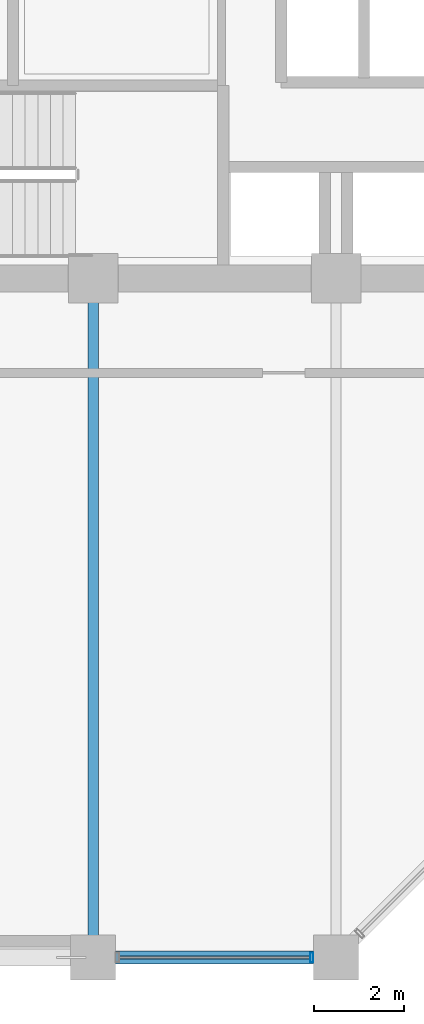
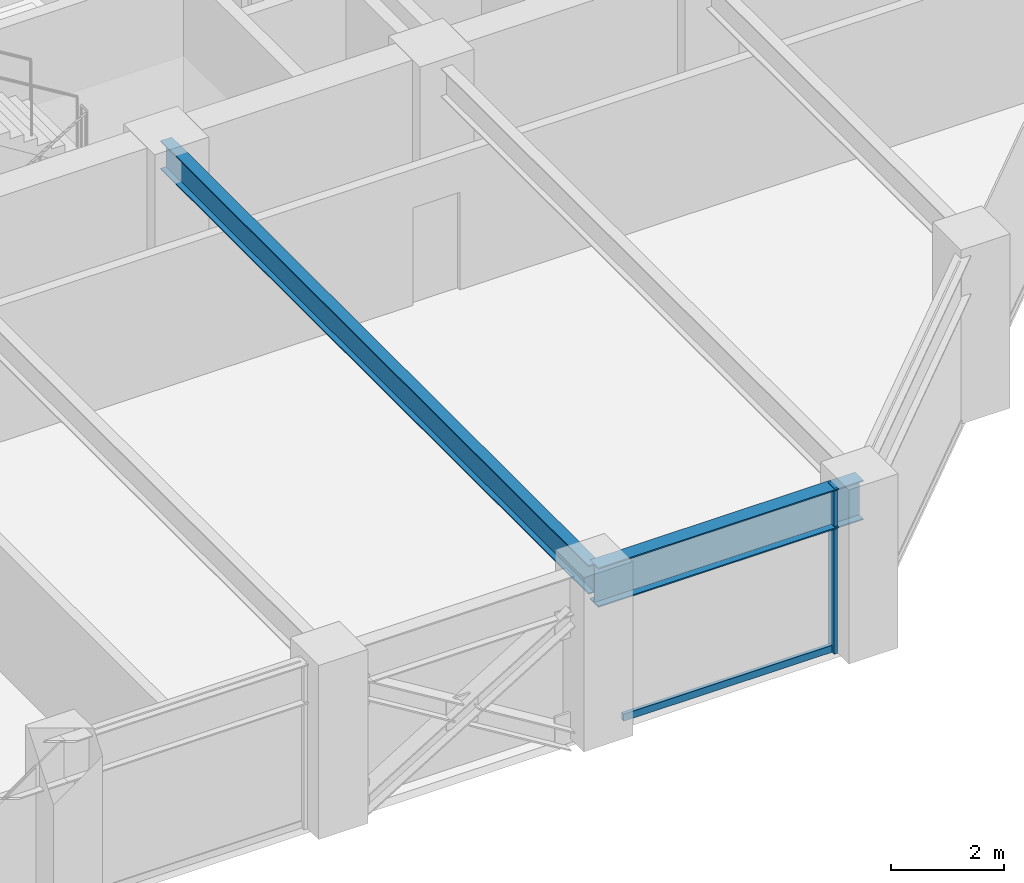
# One storey, part 5 of 23: 2 beams, 2 members, 1 element without a shape of its own.
"""IFC4 building model written with IfcOpenShell, lengths in metres."""

from ifc_helpers import new_model, si_unit, direction, frame, origin, origin_2d, place, context, subcontext, project, spatial, hollow_rectangle, i_section, extrude, material, layer, layer_set, material_profile, profile_set, type_object, element, aggregate, save


model = new_model("IFC4")

# Units and contexts
model_context = context("Model", 3, precision=1e-05, world=origin(), true_north=direction((0.0, 1.0)))
body_context = subcontext(model_context, "Body", "Model", "MODEL_VIEW")
ifc_project = project(units=[si_unit("LENGTHUNIT", "METRE"), si_unit("AREAUNIT", "SQUARE_METRE"), si_unit("VOLUMEUNIT", "CUBIC_METRE"), si_unit("PLANEANGLEUNIT", "RADIAN"), si_unit("MASSUNIT", "GRAM", prefix="KILO")], contexts=[model_context])

# Site, building, storey
site_placement = place(None, origin())
site = spatial("IfcSite", under=ifc_project, at=site_placement, CompositionType="ELEMENT")
building_placement = place(site_placement, origin())
building = spatial("IfcBuilding", under=site, at=building_placement, Name="Surkhivell Harbour Commons", CompositionType="ELEMENT")
storey_placement = place(building_placement, frame((0.0, 0.0, 135.75)))
storey = spatial("IfcBuildingStorey", under=building, at=storey_placement, Name="L35", CompositionType="ELEMENT", Elevation=135.75)

# Beams
ifc_material_1 = material(Name="Steel S355", Category="steel")
ifc_material_profile_1 = material_profile(ifc_material_1, i_section(OverallWidth=0.22998046875, OverallDepth=0.616943359375, WebThickness=0.01318359375, FlangeThickness=0.022216796875, at=origin_2d()), Name="UB610x229x140")
ifc_profile_set_1 = profile_set([ifc_material_profile_1], Name="Steel S355")
beam_type_1 = type_object("IfcBeamType", Name="BM-GRD-610B", PredefinedType="BEAM", material=ifc_profile_set_1)
beam_1_placement = place(storey_placement, frame((-5.39990234375, -25.89990234375, 3.261474609375), z_axis=(0.0, 1.0, 0.0), x_axis=(-1.0, 0.0, 0.0)))
element("IfcBeam", 1, at=beam_1_placement, inside=storey, type_object=beam_type_1, Name="L35 Floor Girder (-5.4,-25.9)", PredefinedType="BEAM", context=body_context, shape_type="SweptSolid", body=[
    extrude(i_section(OverallWidth=0.22998046875, OverallDepth=0.616943359375, WebThickness=0.01318359375, FlangeThickness=0.022216796875, at=origin_2d()), origin(), (0.0, 0.0, 1.0), 15.099853515625),
])
ifc_material_2 = material(Name="Steel S460", Category="steel")
ifc_material_profile_2 = material_profile(ifc_material_2, i_section(OverallWidth=0.2939453125, OverallDepth=0.85107421875, WebThickness=0.01611328125, FlangeThickness=0.02685546875, at=origin_2d()), Name="UB838x292x226")
ifc_profile_set_2 = profile_set([ifc_material_profile_2], Name="Steel S460")
beam_type_2 = type_object("IfcBeamType", Name="BM-SPN-838", PredefinedType="SPANDREL", material=ifc_profile_set_2)
beam_2_placement = place(storey_placement, frame((-5.39990234375, -25.89990234375, 3.14453125), z_axis=(1.0, 0.0, 0.0), x_axis=(0.0, 1.0, 0.0)))
element("IfcBeam", 2, at=beam_2_placement, inside=storey, type_object=beam_type_2, Name="L35 Tube Spandrel (-5.4,-25.9)", PredefinedType="SPANDREL", context=body_context, shape_type="SweptSolid", body=[
    extrude(i_section(OverallWidth=0.2939453125, OverallDepth=0.85107421875, WebThickness=0.01611328125, FlangeThickness=0.02685546875, at=origin_2d()), origin(), (0.0, 0.0, 1.0), 5.39990234375),
])

# Curtain wall, members
ifc_material_3 = material(Name="Anodised pale-metal aluminium and insulated glazing", Category="aluminium")
ifc_layer = layer(ifc_material_3, 0.205078125)
ifc_layer_set = layer_set([ifc_layer], Name="Anodised pale-metal aluminium and insulated glazing")
curtain_wall_type = type_object("IfcCurtainWallType", Name="CW-SYS-Z2", PredefinedType="NOTDEFINED", material=ifc_layer_set)
curtain_wall_placement = place(storey_placement, origin())
curtain_wall = element("IfcCurtainWall", 3, at=curtain_wall_placement, inside=storey, type_object=curtain_wall_type, Name="L35 Curtain Wall CW-L35-E00S2", PredefinedType="NOTDEFINED")
ifc_material_4 = material(Name="Anodised pale-metal aluminium alloy 6063-T6", Category="aluminium")
ifc_material_profile_3 = material_profile(ifc_material_4, hollow_rectangle(XDim=0.074951171875, YDim=0.219970703125, WallThickness=0.00390625, at=origin_2d()), Name="ALU-MULL-75x220")
ifc_profile_set_3 = profile_set([ifc_material_profile_3], Name="Anodised pale-metal aluminium alloy 6063-T6")
member_type_1 = type_object("IfcMemberType", Name="CWM-220", PredefinedType="MULLION", material=ifc_profile_set_3)
member_1_placement = place(storey_placement, frame((-0.53955078125, -25.89990234375, 0.0), z_axis=(0.0, 0.0, 1.0), x_axis=(1.0, 0.0, 0.0)))
member_1 = element("IfcMember", 4, at=member_1_placement, type_object=member_type_1, Name="CW-Z2 mullion 2", PredefinedType="MULLION", context=body_context, shape_type="SweptSolid", body=[
    extrude(hollow_rectangle(XDim=0.074951171875, YDim=0.219970703125, WallThickness=0.00390625, at=origin_2d()), origin(), (0.0, 0.0, 1.0), 3.570068359375),
])
ifc_material_profile_4 = material_profile(ifc_material_4, hollow_rectangle(XDim=0.074951171875, YDim=0.14990234375, WallThickness=0.00341796875, at=origin_2d()), Name="ALU-TRAN-75x150")
ifc_profile_set_4 = profile_set([ifc_material_profile_4], Name="Anodised pale-metal aluminium alloy 6063-T6")
member_type_2 = type_object("IfcMemberType", Name="CWT-150", PredefinedType="USERDEFINED", material=ifc_profile_set_4)
member_2_placement = place(storey_placement, frame((-4.822998046875, -25.89990234375, 0.074951171875), z_axis=(1.0, 0.0, 0.0), x_axis=(0.0, 1.0, 0.0)))
member_2 = element("IfcMember", 5, at=member_2_placement, type_object=member_type_2, Name="CW-Z2 transom 1.1", ObjectType="TRANSOM", PredefinedType="USERDEFINED", context=body_context, shape_type="SweptSolid", body=[
    extrude(hollow_rectangle(XDim=0.074951171875, YDim=0.14990234375, WallThickness=0.00341796875, at=origin_2d()), origin(), (0.0, 0.0, 1.0), 4.24609375),
])
aggregate(curtain_wall, [member_1, member_2])

save(model, "model.ifc")
